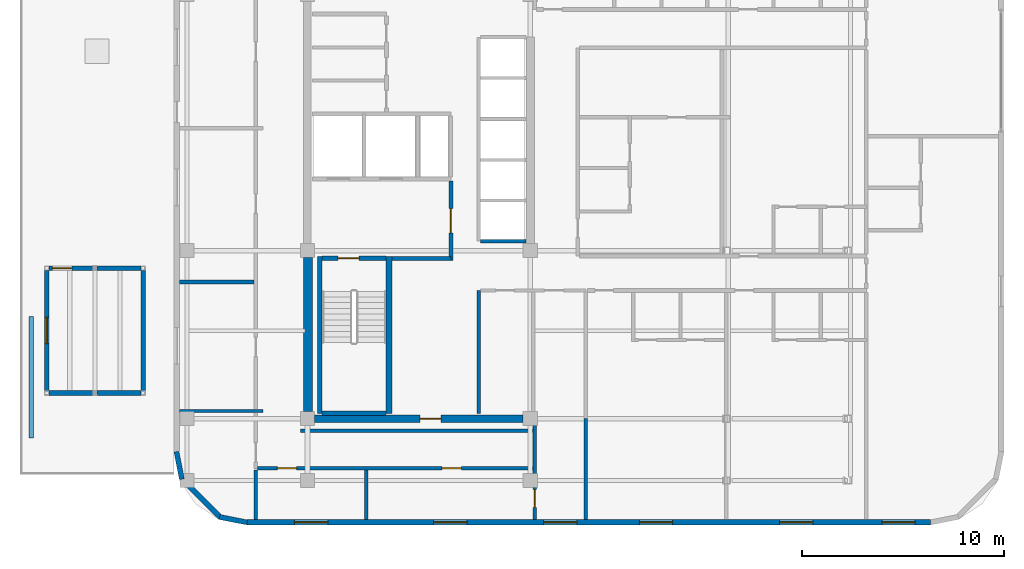
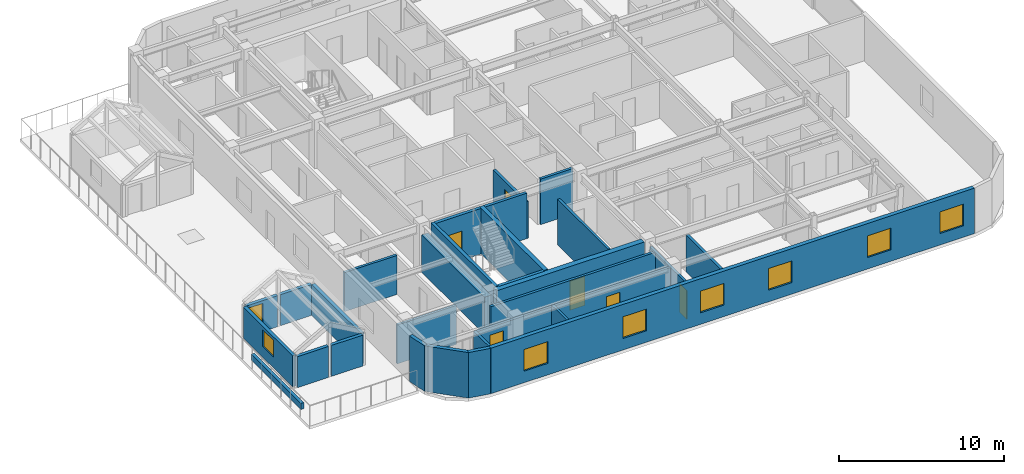
# One storey, part 11 of 16: 29 walls, 7 doors, 7 windows, 14 openings.
"""IFC4 building model written with IfcOpenShell, lengths in metres."""

from ifc_helpers import new_model, si_unit, direction, frame, frame_2d, origin, place, context, subcontext, project, spatial, rectangle, extrude, material, layer, layer_set, type_object, element, fill, save


model = new_model("IFC4")

# Units and contexts
model_context = context("Model", 3, precision=1e-05, world=origin(), true_north=direction((0.0, 1.0)))
body_context = subcontext(model_context, "Body", "Model", "MODEL_VIEW")
ifc_project = project(units=[si_unit("LENGTHUNIT", "METRE"), si_unit("AREAUNIT", "SQUARE_METRE"), si_unit("VOLUMEUNIT", "CUBIC_METRE"), si_unit("PLANEANGLEUNIT", "RADIAN"), si_unit("MASSUNIT", "GRAM", prefix="KILO")], contexts=[model_context])

# Site, building, storey
site_placement = place(None, origin())
site = spatial("IfcSite", under=ifc_project, at=site_placement, CompositionType="ELEMENT")
building_placement = place(site_placement, origin())
building = spatial("IfcBuilding", under=site, at=building_placement, Name="Ochreholt Gables", CompositionType="ELEMENT")
storey_placement = place(building_placement, frame((0.0, 0.0, 141.0)))
storey = spatial("IfcBuildingStorey", under=building, at=storey_placement, Name="L36", CompositionType="ELEMENT", Elevation=141.0)

# Wall, opening, door
ifc_material_1 = material(Name="Concrete 50 MPa", Category="concrete")
ifc_layer_1 = layer(ifc_material_1, 0.3798828125, Name="Concrete 50 MPa")
ifc_layer_set_1 = layer_set([ifc_layer_1], Name="Concrete 50 MPa")
wall_type_1 = type_object("IfcWallType", Name="WALL-CSW-380", PredefinedType="SHEAR", material=ifc_layer_set_1)
wall_1_placement = place(storey_placement, frame((24.550048828125, 9.25, 0.0), z_axis=(0.0, 0.0, 1.0), x_axis=(1.0, 0.0, 0.0)))
wall_1 = element("IfcWall", 1, at=wall_1_placement, inside=storey, type_object=wall_type_1, Name="L36 Core South Shear Wall", PredefinedType="SHEAR", context=body_context, shape_type="SweptSolid", body=[
    extrude(rectangle(XDim=10.300048828125, YDim=0.3798828125, at=frame_2d((5.14990234375, 0.0))), origin(), (0.0, 0.0, 1.0), 3.360107421875),
])
opening_1_placement = place(wall_1_placement, frame((5.199951171875, 0.0, 0.0)))
opening_1 = element("IfcOpeningElement", 2, at=opening_1_placement, cuts=wall_1, Name="Opening D-FLB", PredefinedType="OPENING", context=body_context, shape_type="SweptSolid", body=[
    extrude(rectangle(XDim=1.050048828125, YDim=2.14990234375, at=frame_2d((0.52490234375, 1.074951171875))), frame((0.0, 0.199951171875, 0.0), z_axis=(0.0, -1.0, 0.0), x_axis=(1.0, 0.0, 0.0)), (0.0, 0.0, 1.0), 0.39990234375),
])
ifc_material_2 = material(Name="Hollow Metal Steel", Category="steel")
door_type_1 = type_object("IfcDoorType", Name="DR-INT-FLB1050", OperationType="NOTDEFINED", PredefinedType="DOOR", material=ifc_material_2)
door_1_placement = place(opening_1_placement, origin())
door_1 = element("IfcDoor", 3, at=door_1_placement, inside=storey, type_object=door_type_1, Name="L36 Door D-C2CRS-L36", OperationType="SINGLE_SWING_LEFT", OverallHeight=2.14990234375, OverallWidth=1.050048828125, PredefinedType="DOOR", context=body_context, shape_type="SweptSolid", body=[
    extrude(rectangle(XDim=1.050048828125, YDim=2.14990234375, at=frame_2d((0.52490234375, 1.074951171875))), frame((0.0, 0.02490234375, 0.0), z_axis=(0.0, -1.0, 0.0), x_axis=(1.0, 0.0, 0.0)), (0.0, 0.0, 1.0), 0.050048828125),
])
fill(opening_1, door_1)

# Wall
ifc_material_3 = material(Name="Concrete 60 MPa", Category="concrete")
ifc_layer_2 = layer(ifc_material_3, 0.449951171875, Name="Concrete 60 MPa")
ifc_layer_set_2 = layer_set([ifc_layer_2], Name="Concrete 60 MPa")
wall_type_2 = type_object("IfcWallType", Name="WALL-CSW-450", PredefinedType="SHEAR", material=ifc_layer_set_2)
wall_2_placement = place(storey_placement, frame((24.22509765625, 9.60009765625, 0.0), z_axis=(0.0, 0.0, 1.0), x_axis=(0.0, 1.0, 0.0)))
element("IfcWall", 4, at=wall_2_placement, inside=storey, type_object=wall_type_2, Name="L36 Core West Shear Wall WS", PredefinedType="SHEAR", context=body_context, shape_type="SweptSolid", body=[
    extrude(rectangle(XDim=7.599853515625, YDim=0.449951171875, at=frame_2d((3.7998046875, 0.0))), origin(), (0.0, 0.0, 1.0), 2.748046875),
])

# Wall, openings, windows
ifc_material_4 = material(Name="Precast concrete 40 MPa", Category="concrete")
ifc_layer_3 = layer(ifc_material_4, 0.280029296875, Name="Precast concrete 40 MPa")
ifc_layer_set_3 = layer_set([ifc_layer_3], Name="Precast concrete 40 MPa")
wall_type_3 = type_object("IfcWallType", Name="WALL-EXT-280", PredefinedType="SOLIDWALL", material=ifc_layer_set_3)
wall_3_placement = place(storey_placement, frame((21.219970703125, 4.139892578125, 0.0), z_axis=(0.0, 0.0, 1.0), x_axis=(1.0, 0.0, 0.0)))
wall_3 = element("IfcWall", 5, at=wall_3_placement, inside=storey, type_object=wall_type_3, Name="L36 South Exterior Wall", PredefinedType="SOLIDWALL", context=body_context, shape_type="SweptSolid", body=[
    extrude(rectangle(XDim=33.760009765625, YDim=0.280029296875, at=frame_2d((16.8798828125, 0.0))), origin(), (0.0, 0.0, 1.0), 3.360107421875),
])
opening_2_placement = place(wall_3_placement, frame((2.330078125, 0.0, 0.85009765625)))
opening_2 = element("IfcOpeningElement", 6, at=opening_2_placement, cuts=wall_3, Name="Opening WN-7", PredefinedType="OPENING", context=body_context, shape_type="SweptSolid", body=[
    extrude(rectangle(XDim=1.64990234375, YDim=1.60009765625, at=frame_2d((0.824951171875, 0.800048828125))), frame((0.0, 0.14990234375, 0.0), z_axis=(0.0, -1.0, 0.0), x_axis=(1.0, 0.0, 0.0)), (0.0, 0.0, 1.0), 0.300048828125),
])
opening_3_placement = place(wall_3_placement, frame((9.215087890625, 0.0, 0.85009765625)))
opening_3 = element("IfcOpeningElement", 7, at=opening_3_placement, cuts=wall_3, Name="Opening WN-7", PredefinedType="OPENING", context=body_context, shape_type="SweptSolid", body=[
    extrude(rectangle(XDim=1.64990234375, YDim=1.60009765625, at=frame_2d((0.824951171875, 0.800048828125))), frame((0.0, 0.14990234375, 0.0), z_axis=(0.0, -1.0, 0.0), x_axis=(1.0, 0.0, 0.0)), (0.0, 0.0, 1.0), 0.300048828125),
])
opening_4_placement = place(wall_3_placement, frame((14.639892578125, 0.0, 0.85009765625)))
opening_4 = element("IfcOpeningElement", 8, at=opening_4_placement, cuts=wall_3, Name="Opening WN-7", PredefinedType="OPENING", context=body_context, shape_type="SweptSolid", body=[
    extrude(rectangle(XDim=1.64990234375, YDim=1.60009765625, at=frame_2d((0.824951171875, 0.800048828125))), frame((0.0, 0.14990234375, 0.0), z_axis=(0.0, -1.0, 0.0), x_axis=(1.0, 0.0, 0.0)), (0.0, 0.0, 1.0), 0.300048828125),
])
opening_5_placement = place(wall_3_placement, frame((19.367431640625, 0.0, 0.85009765625)))
opening_5 = element("IfcOpeningElement", 9, at=opening_5_placement, cuts=wall_3, Name="Opening WN-7", PredefinedType="OPENING", context=body_context, shape_type="SweptSolid", body=[
    extrude(rectangle(XDim=1.64990234375, YDim=1.60009765625, at=frame_2d((0.824951171875, 0.800048828125))), frame((0.0, 0.14990234375, 0.0), z_axis=(0.0, -1.0, 0.0), x_axis=(1.0, 0.0, 0.0)), (0.0, 0.0, 1.0), 0.300048828125),
])
opening_6_placement = place(wall_3_placement, frame((26.29248046875, 0.0, 0.85009765625)))
opening_6 = element("IfcOpeningElement", 10, at=opening_6_placement, cuts=wall_3, Name="Opening WN-7", PredefinedType="OPENING", context=body_context, shape_type="SweptSolid", body=[
    extrude(rectangle(XDim=1.64990234375, YDim=1.60009765625, at=frame_2d((0.824951171875, 0.800048828125))), frame((0.0, 0.14990234375, 0.0), z_axis=(0.0, -1.0, 0.0), x_axis=(1.0, 0.0, 0.0)), (0.0, 0.0, 1.0), 0.300048828125),
])
opening_7_placement = place(wall_3_placement, frame((31.344970703125, 0.0, 0.85009765625)))
opening_7 = element("IfcOpeningElement", 11, at=opening_7_placement, cuts=wall_3, Name="Opening WN-7", PredefinedType="OPENING", context=body_context, shape_type="SweptSolid", body=[
    extrude(rectangle(XDim=1.64990234375, YDim=1.60009765625, at=frame_2d((0.824951171875, 0.800048828125))), frame((0.0, 0.14990234375, 0.0), z_axis=(0.0, -1.0, 0.0), x_axis=(1.0, 0.0, 0.0)), (0.0, 0.0, 1.0), 0.300048828125),
])
ifc_material_5 = material(Name="Triple-Glazed Thermally Broken Aluminium Window", Category="aluminium")
window_type_1 = type_object("IfcWindowType", Name="WIN-RES-1650", PartitioningType="SINGLE_PANEL", PredefinedType="WINDOW", material=ifc_material_5)
window_1_placement = place(opening_2_placement, origin())
window_1 = element("IfcWindow", 12, at=window_1_placement, inside=storey, type_object=window_type_1, Name="L36 Window W-EXT-S-L36-1", OverallHeight=1.60009765625, OverallWidth=1.64990234375, PartitioningType="SINGLE_PANEL", PredefinedType="WINDOW", context=body_context, shape_type="SweptSolid", body=[
    extrude(rectangle(XDim=1.64990234375, YDim=1.60009765625, at=frame_2d((0.824951171875, 0.800048828125))), frame((0.0, 0.030029296875, 0.0), z_axis=(0.0, -1.0, 0.0), x_axis=(1.0, 0.0, 0.0)), (0.0, 0.0, 1.0), 0.06005859375),
])
fill(opening_2, window_1)
window_2_placement = place(opening_3_placement, origin())
window_2 = element("IfcWindow", 13, at=window_2_placement, inside=storey, type_object=window_type_1, Name="L36 Window W-EXT-S-L36-2", OverallHeight=1.60009765625, OverallWidth=1.64990234375, PartitioningType="SINGLE_PANEL", PredefinedType="WINDOW", context=body_context, shape_type="SweptSolid", body=[
    extrude(rectangle(XDim=1.64990234375, YDim=1.60009765625, at=frame_2d((0.824951171875, 0.800048828125))), frame((0.0, 0.030029296875, 0.0), z_axis=(0.0, -1.0, 0.0), x_axis=(1.0, 0.0, 0.0)), (0.0, 0.0, 1.0), 0.06005859375),
])
fill(opening_3, window_2)
window_3_placement = place(opening_4_placement, origin())
window_3 = element("IfcWindow", 14, at=window_3_placement, inside=storey, type_object=window_type_1, Name="L36 Window W-EXT-S-L36-3", OverallHeight=1.60009765625, OverallWidth=1.64990234375, PartitioningType="SINGLE_PANEL", PredefinedType="WINDOW", context=body_context, shape_type="SweptSolid", body=[
    extrude(rectangle(XDim=1.64990234375, YDim=1.60009765625, at=frame_2d((0.824951171875, 0.800048828125))), frame((0.0, 0.030029296875, 0.0), z_axis=(0.0, -1.0, 0.0), x_axis=(1.0, 0.0, 0.0)), (0.0, 0.0, 1.0), 0.06005859375),
])
fill(opening_4, window_3)
window_4_placement = place(opening_5_placement, origin())
window_4 = element("IfcWindow", 15, at=window_4_placement, inside=storey, type_object=window_type_1, Name="L36 Window W-EXT-S-L36-4", OverallHeight=1.60009765625, OverallWidth=1.64990234375, PartitioningType="SINGLE_PANEL", PredefinedType="WINDOW", context=body_context, shape_type="SweptSolid", body=[
    extrude(rectangle(XDim=1.64990234375, YDim=1.60009765625, at=frame_2d((0.824951171875, 0.800048828125))), frame((0.0, 0.030029296875, 0.0), z_axis=(0.0, -1.0, 0.0), x_axis=(1.0, 0.0, 0.0)), (0.0, 0.0, 1.0), 0.06005859375),
])
fill(opening_5, window_4)
window_5_placement = place(opening_6_placement, origin())
window_5 = element("IfcWindow", 16, at=window_5_placement, inside=storey, type_object=window_type_1, Name="L36 Window W-EXT-S-L36-5", OverallHeight=1.60009765625, OverallWidth=1.64990234375, PartitioningType="SINGLE_PANEL", PredefinedType="WINDOW", context=body_context, shape_type="SweptSolid", body=[
    extrude(rectangle(XDim=1.64990234375, YDim=1.60009765625, at=frame_2d((0.824951171875, 0.800048828125))), frame((0.0, 0.030029296875, 0.0), z_axis=(0.0, -1.0, 0.0), x_axis=(1.0, 0.0, 0.0)), (0.0, 0.0, 1.0), 0.06005859375),
])
fill(opening_6, window_5)
window_6_placement = place(opening_7_placement, origin())
window_6 = element("IfcWindow", 17, at=window_6_placement, inside=storey, type_object=window_type_1, Name="L36 Window W-EXT-S-L36-6", OverallHeight=1.60009765625, OverallWidth=1.64990234375, PartitioningType="SINGLE_PANEL", PredefinedType="WINDOW", context=body_context, shape_type="SweptSolid", body=[
    extrude(rectangle(XDim=1.64990234375, YDim=1.60009765625, at=frame_2d((0.824951171875, 0.800048828125))), frame((0.0, 0.030029296875, 0.0), z_axis=(0.0, -1.0, 0.0), x_axis=(1.0, 0.0, 0.0)), (0.0, 0.0, 1.0), 0.06005859375),
])
fill(opening_7, window_6)

# Walls
ifc_layer_4 = layer(ifc_material_4, 0.25, Name="Precast concrete 40 MPa")
ifc_layer_set_4 = layer_set([ifc_layer_4], Name="Precast concrete 40 MPa")
wall_type_4 = type_object("IfcWallType", Name="WALL-EXT-CNR", PredefinedType="SOLIDWALL", material=ifc_layer_set_4)
wall_4_placement = place(storey_placement, frame((17.72412109375, 7.616455078125, 0.0), z_axis=(0.0, 0.0, 1.0), x_axis=(0.195135625965, -0.9807762678, 0.0)))
element("IfcWall", 18, at=wall_4_placement, inside=storey, type_object=wall_type_4, Name="L36 Rounded Corner Wall SW-1", PredefinedType="SOLIDWALL", context=body_context, shape_type="SweptSolid", body=[
    extrude(rectangle(XDim=1.388671875, YDim=0.25, at=frame_2d((0.6943359375, 0.0))), origin(), (0.0, 0.0, 1.0), 3.360107421875),
])
wall_5_placement = place(storey_placement, frame((17.968017578125, 6.304931640625, 0.0), z_axis=(0.0, 0.0, 1.0), x_axis=(0.707106781187, -0.707106781187, 0.0)))
element("IfcWall", 19, at=wall_5_placement, inside=storey, type_object=wall_type_4, Name="L36 Rounded Corner Wall SW-2", PredefinedType="SOLIDWALL", context=body_context, shape_type="SweptSolid", body=[
    extrude(rectangle(XDim=2.7392578125, YDim=0.25, at=frame_2d((1.36962890625, 0.0))), origin(), (0.0, 0.0, 1.0), 3.360107421875),
])
wall_6_placement = place(storey_placement, frame((19.8544921875, 4.39501953125, 0.0), z_axis=(0.0, 0.0, 1.0), x_axis=(0.980809899341, -0.19496651342, 0.0)))
element("IfcWall", 20, at=wall_6_placement, inside=storey, type_object=wall_type_4, Name="L36 Rounded Corner Wall SW-3", PredefinedType="SOLIDWALL", context=body_context, shape_type="SweptSolid", body=[
    extrude(rectangle(XDim=1.388671875, YDim=0.25, at=frame_2d((0.6943359375, 0.0))), origin(), (0.0, 0.0, 1.0), 3.360107421875),
])
ifc_layer_5 = layer(ifc_material_4, 0.22998046875, Name="Precast concrete 40 MPa")
ifc_layer_set_5 = layer_set([ifc_layer_5], Name="Precast concrete 40 MPa")
wall_type_5 = type_object("IfcWallType", Name="WALL-EXT-GAB", PredefinedType="SOLIDWALL", material=ifc_layer_set_5)
wall_7_placement = place(storey_placement, frame((11.422119140625, 10.514892578125, 0.0), z_axis=(0.0, 0.0, 1.0), x_axis=(1.0, 0.0, 0.0)))
element("IfcWall", 21, at=wall_7_placement, inside=storey, type_object=wall_type_5, Name="L36 Gable End Wall GB-36W1-S1", PredefinedType="SOLIDWALL", context=body_context, shape_type="SweptSolid", body=[
    extrude(rectangle(XDim=2.17578125, YDim=0.22998046875, at=frame_2d((1.087890625, 0.0))), origin(), (0.0, 0.0, 1.0), 2.285400390625),
])
wall_8_placement = place(storey_placement, frame((13.802001953125, 10.514892578125, 0.0), z_axis=(0.0, 0.0, 1.0), x_axis=(1.0, 0.0, 0.0)))
element("IfcWall", 22, at=wall_8_placement, inside=storey, type_object=wall_type_5, Name="L36 Gable End Wall GB-36W1-S2", PredefinedType="SOLIDWALL", context=body_context, shape_type="SweptSolid", body=[
    extrude(rectangle(XDim=2.176025390625, YDim=0.22998046875, at=frame_2d((1.087890625, 0.0))), origin(), (0.0, 0.0, 1.0), 2.285400390625),
])

# Wall, opening, door
wall_9_placement = place(storey_placement, frame((11.422119140625, 16.68505859375, 0.0), z_axis=(0.0, 0.0, 1.0), x_axis=(1.0, 0.0, 0.0)))
wall_9 = element("IfcWall", 23, at=wall_9_placement, inside=storey, type_object=wall_type_5, Name="L36 Gable End Wall GB-36W1-N1", PredefinedType="SOLIDWALL", context=body_context, shape_type="SweptSolid", body=[
    extrude(rectangle(XDim=2.17578125, YDim=0.22998046875, at=frame_2d((1.087890625, 0.0))), origin(), (0.0, 0.0, 1.0), 2.285400390625),
])
opening_8_placement = place(wall_9_placement, frame((0.179931640625, 0.0, 0.0)))
opening_8 = element("IfcOpeningElement", 24, at=opening_8_placement, cuts=wall_9, Name="Opening D-GB1", PredefinedType="OPENING", context=body_context, shape_type="SweptSolid", body=[
    extrude(rectangle(XDim=0.9599609375, YDim=2.080078125, at=frame_2d((0.47998046875, 1.0400390625))), frame((0.0, 0.125, 0.0), z_axis=(0.0, -1.0, 0.0), x_axis=(1.0, 0.0, 0.0)), (0.0, 0.0, 1.0), 0.25),
])
ifc_material_6 = material(Name="Thermally Broken Insulated Steel and Glass Door", Category="steel")
door_type_2 = type_object("IfcDoorType", Name="DR-EXT-GAB960", OperationType="NOTDEFINED", PredefinedType="DOOR", material=ifc_material_6)
door_2_placement = place(opening_8_placement, origin())
door_2 = element("IfcDoor", 25, at=door_2_placement, inside=storey, type_object=door_type_2, Name="L36 Gable Pavilion Door GB-36W1", OperationType="SINGLE_SWING_LEFT", OverallHeight=2.080078125, OverallWidth=0.9599609375, PredefinedType="DOOR", context=body_context, shape_type="SweptSolid", body=[
    extrude(rectangle(XDim=0.9599609375, YDim=2.080078125, at=frame_2d((0.47998046875, 1.0400390625))), frame((0.0, 0.02490234375, 0.0), z_axis=(0.0, -1.0, 0.0), x_axis=(1.0, 0.0, 0.0)), (0.0, 0.0, 1.0), 0.050048828125),
])
fill(opening_8, door_2)

# Wall
wall_10_placement = place(storey_placement, frame((13.802001953125, 16.68505859375, 0.0), z_axis=(0.0, 0.0, 1.0), x_axis=(1.0, 0.0, 0.0)))
element("IfcWall", 26, at=wall_10_placement, inside=storey, type_object=wall_type_5, Name="L36 Gable End Wall GB-36W1-N2", PredefinedType="SOLIDWALL", context=body_context, shape_type="SweptSolid", body=[
    extrude(rectangle(XDim=2.176025390625, YDim=0.22998046875, at=frame_2d((1.087890625, 0.0))), origin(), (0.0, 0.0, 1.0), 2.285400390625),
])

# Wall, opening, window
wall_11_placement = place(storey_placement, frame((11.31494140625, 10.6220703125, 0.0), z_axis=(0.0, 0.0, 1.0), x_axis=(0.0, 1.0, 0.0)))
wall_11 = element("IfcWall", 27, at=wall_11_placement, inside=storey, type_object=wall_type_5, Name="L36 Gable Eave Wall GB-36W1-W", PredefinedType="SOLIDWALL", context=body_context, shape_type="SweptSolid", body=[
    extrude(rectangle(XDim=5.955810546875, YDim=0.22998046875, at=frame_2d((2.97802734375, 0.0))), origin(), (0.0, 0.0, 1.0), 2.285400390625),
])
opening_9_placement = place(wall_11_placement, frame((2.327880859375, 0.0, 0.780029296875)))
opening_9 = element("IfcOpeningElement", 28, at=opening_9_placement, cuts=wall_11, Name="Opening WN-6", PredefinedType="OPENING", context=body_context, shape_type="SweptSolid", body=[
    extrude(rectangle(XDim=1.300048828125, YDim=1.25, at=frame_2d((0.64990234375, 0.625))), frame((0.0, 0.125, 0.0), z_axis=(0.0, -1.0, 0.0), x_axis=(1.0, 0.0, 0.0)), (0.0, 0.0, 1.0), 0.25),
])
window_type_2 = type_object("IfcWindowType", Name="WIN-GAB-1300", PartitioningType="SINGLE_PANEL", PredefinedType="WINDOW", material=ifc_material_5)
window_7_placement = place(opening_9_placement, origin())
window_7 = element("IfcWindow", 29, at=window_7_placement, inside=storey, type_object=window_type_2, Name="L36 Gable Pavilion Window GB-36W1", OverallHeight=1.25, OverallWidth=1.300048828125, PartitioningType="SINGLE_PANEL", PredefinedType="WINDOW", context=body_context, shape_type="SweptSolid", body=[
    extrude(rectangle(XDim=1.300048828125, YDim=1.25, at=frame_2d((0.64990234375, 0.625))), frame((0.0, 0.030029296875, 0.0), z_axis=(0.0, -1.0, 0.0), x_axis=(1.0, 0.0, 0.0)), (0.0, 0.0, 1.0), 0.06005859375),
])
fill(opening_9, window_7)

# Walls
wall_12_placement = place(storey_placement, frame((16.0849609375, 10.6220703125, 0.0), z_axis=(0.0, 0.0, 1.0), x_axis=(0.0, 1.0, 0.0)))
element("IfcWall", 30, at=wall_12_placement, inside=storey, type_object=wall_type_5, Name="L36 Gable Eave Wall GB-36W1-E", PredefinedType="SOLIDWALL", context=body_context, shape_type="SweptSolid", body=[
    extrude(rectangle(XDim=5.955810546875, YDim=0.22998046875, at=frame_2d((2.97802734375, 0.0))), origin(), (0.0, 0.0, 1.0), 2.285400390625),
])
ifc_material_7 = material(Name="Concrete 40 MPa", Category="concrete")
ifc_layer_6 = layer(ifc_material_7, 0.199951171875, Name="Concrete 40 MPa")
ifc_layer_set_6 = layer_set([ifc_layer_6], Name="Concrete 40 MPa")
wall_type_6 = type_object("IfcWallType", Name="WALL-INT-CF200", PredefinedType="STANDARD", material=ifc_layer_set_6)
wall_13_placement = place(storey_placement, frame((28.3798828125, 17.169921875, 0.0), z_axis=(0.0, 0.0, 1.0), x_axis=(1.0, 0.0, 0.0)))
element("IfcWall", 31, at=wall_13_placement, inside=storey, type_object=wall_type_6, Name="L36 Interior Wall WI-FFS-L36", PredefinedType="STANDARD", context=body_context, shape_type="SweptSolid", body=[
    extrude(rectangle(XDim=2.900146484375, YDim=0.199951171875, at=frame_2d((1.4501953125, 0.0))), origin(), (0.0, 0.0, 1.0), 3.360107421875),
])

# Wall, opening, door
wall_14_placement = place(storey_placement, frame((31.280029296875, 17.070068359375, 0.0), z_axis=(0.0, 0.0, 1.0), x_axis=(0.0, 1.0, 0.0)))
wall_14 = element("IfcWall", 32, at=wall_14_placement, inside=storey, type_object=wall_type_6, Name="L36 Interior Wall WI-FFE-L36", PredefinedType="STANDARD", context=body_context, shape_type="SweptSolid", body=[
    extrude(rectangle(XDim=3.919921875, YDim=0.199951171875, at=frame_2d((1.9599609375, 0.0))), origin(), (0.0, 0.0, 1.0), 2.72998046875),
])
opening_10_placement = place(wall_14_placement, frame((1.35009765625, 0.0, 0.0)))
opening_10 = element("IfcOpeningElement", 33, at=opening_10_placement, cuts=wall_14, Name="Opening D-FFL", PredefinedType="OPENING", context=body_context, shape_type="SweptSolid", body=[
    extrude(rectangle(XDim=1.199951171875, YDim=2.14990234375, at=frame_2d((0.60009765625, 1.074951171875))), frame((0.0, 0.10986328125, 0.0), z_axis=(0.0, -1.0, 0.0), x_axis=(1.0, 0.0, 0.0)), (0.0, 0.0, 1.0), 0.219970703125),
])
door_type_3 = type_object("IfcDoorType", Name="DR-INT-FFL1200", OperationType="NOTDEFINED", PredefinedType="DOOR", material=ifc_material_2)
door_3_placement = place(opening_10_placement, origin())
door_3 = element("IfcDoor", 34, at=door_3_placement, inside=storey, type_object=door_type_3, Name="L36 Door D-FFL-L36", OperationType="SINGLE_SWING_LEFT", OverallHeight=2.14990234375, OverallWidth=1.199951171875, PredefinedType="DOOR", context=body_context, shape_type="SweptSolid", body=[
    extrude(rectangle(XDim=1.199951171875, YDim=2.14990234375, at=frame_2d((0.60009765625, 1.074951171875))), frame((0.0, 0.02490234375, 0.0), z_axis=(0.0, -1.0, 0.0), x_axis=(1.0, 0.0, 0.0)), (0.0, 0.0, 1.0), 0.050048828125),
])
fill(opening_10, door_3)

# Wall, openings, doors
ifc_material_8 = material(Name="Fire-Rated Gypsum Acoustic Partition", Category="gypsum")
ifc_layer_7 = layer(ifc_material_8, 0.179931640625, Name="Fire-Rated Gypsum Acoustic Partition")
ifc_layer_set_7 = layer_set([ifc_layer_7], Name="Fire-Rated Gypsum Acoustic Partition")
wall_type_7 = type_object("IfcWallType", Name="WALL-INT-CR180", PredefinedType="STANDARD", material=ifc_layer_set_7)
wall_15_placement = place(storey_placement, frame((21.739990234375, 6.800048828125, 0.0), z_axis=(0.0, 0.0, 1.0), x_axis=(1.0, 0.0, 0.0)))
wall_15 = element("IfcWall", 35, at=wall_15_placement, inside=storey, type_object=wall_type_7, Name="L36 Interior Wall WI-C2WCS-L36", PredefinedType="STANDARD", context=body_context, shape_type="SweptSolid", body=[
    extrude(rectangle(XDim=13.679931640625, YDim=0.179931640625, at=frame_2d((6.83984375, 0.0))), origin(), (0.0, 0.0, 1.0), 2.72998046875),
])
opening_11_placement = place(wall_15_placement, frame((0.969970703125, 0.0, 0.0)))
opening_11 = element("IfcOpeningElement", 36, at=opening_11_placement, cuts=wall_15, Name="Opening D-GN1", PredefinedType="OPENING", context=body_context, shape_type="SweptSolid", body=[
    extrude(rectangle(XDim=0.949951171875, YDim=2.14990234375, at=frame_2d((0.47509765625, 1.074951171875))), frame((0.0, 0.099853515625, 0.0), z_axis=(0.0, -1.0, 0.0), x_axis=(1.0, 0.0, 0.0)), (0.0, 0.0, 1.0), 0.199951171875),
])
opening_12_placement = place(wall_15_placement, frame((9.110107421875, 0.0, 0.0)))
opening_12 = element("IfcOpeningElement", 37, at=opening_12_placement, cuts=wall_15, Name="Opening D-GN1", PredefinedType="OPENING", context=body_context, shape_type="SweptSolid", body=[
    extrude(rectangle(XDim=0.949951171875, YDim=2.14990234375, at=frame_2d((0.47509765625, 1.074951171875))), frame((0.0, 0.099853515625, 0.0), z_axis=(0.0, -1.0, 0.0), x_axis=(1.0, 0.0, 0.0)), (0.0, 0.0, 1.0), 0.199951171875),
])
ifc_material_9 = material(Name="Engineered Oak Timber", Category="wood")
door_type_4 = type_object("IfcDoorType", Name="DR-INT-GEN950", OperationType="NOTDEFINED", PredefinedType="DOOR", material=ifc_material_9)
door_4_placement = place(opening_11_placement, origin())
door_4 = element("IfcDoor", 38, at=door_4_placement, inside=storey, type_object=door_type_4, Name="L36 Door D-C2STL1-L36", OperationType="SINGLE_SWING_LEFT", OverallHeight=2.14990234375, OverallWidth=0.949951171875, PredefinedType="DOOR", context=body_context, shape_type="SweptSolid", body=[
    extrude(rectangle(XDim=0.949951171875, YDim=2.14990234375, at=frame_2d((0.47509765625, 1.074951171875))), frame((0.0, 0.02490234375, 0.0), z_axis=(0.0, -1.0, 0.0), x_axis=(1.0, 0.0, 0.0)), (0.0, 0.0, 1.0), 0.050048828125),
])
fill(opening_11, door_4)
door_5_placement = place(opening_12_placement, origin())
door_5 = element("IfcDoor", 39, at=door_5_placement, inside=storey, type_object=door_type_4, Name="L36 Door D-C2STL2-L36", OperationType="SINGLE_SWING_RIGHT", OverallHeight=2.14990234375, OverallWidth=0.949951171875, PredefinedType="DOOR", context=body_context, shape_type="SweptSolid", body=[
    extrude(rectangle(XDim=0.949951171875, YDim=2.14990234375, at=frame_2d((0.47509765625, 1.074951171875))), frame((0.0, 0.02490234375, 0.0), z_axis=(0.0, -1.0, 0.0), x_axis=(1.0, 0.0, 0.0)), (0.0, 0.0, 1.0), 0.050048828125),
])
fill(opening_12, door_5)

# Walls
wall_16_placement = place(storey_placement, frame((23.85009765625, 8.64990234375, 0.0), z_axis=(0.0, 0.0, 1.0), x_axis=(1.0, 0.0, 0.0)))
element("IfcWall", 40, at=wall_16_placement, inside=storey, type_object=wall_type_7, Name="L36 Interior Wall WI-C2WCS2-L36", PredefinedType="STANDARD", context=body_context, shape_type="SweptSolid", body=[
    extrude(rectangle(XDim=11.56982421875, YDim=0.179931640625, at=frame_2d((5.784912109375, 0.0))), origin(), (0.0, 0.0, 1.0), 2.72998046875),
])
ifc_material_10 = material(Name="Double-Stud Acoustic Demising Wall", Category="gypsum")
ifc_layer_8 = layer(ifc_material_10, 0.179931640625, Name="Double-Stud Acoustic Demising Wall")
ifc_layer_set_8 = layer_set([ifc_layer_8], Name="Double-Stud Acoustic Demising Wall")
wall_type_8 = type_object("IfcWallType", Name="WALL-INT-DM180", PredefinedType="PARTITIONING", material=ifc_layer_set_8)
wall_17_placement = place(storey_placement, frame((21.64990234375, 4.280029296875, 0.0), z_axis=(0.0, 0.0, 1.0), x_axis=(0.0, 1.0, 0.0)))
element("IfcWall", 41, at=wall_17_placement, inside=storey, type_object=wall_type_8, Name="L36 Interior Wall WI-C2WWS-L36", PredefinedType="PARTITIONING", context=body_context, shape_type="SweptSolid", body=[
    extrude(rectangle(XDim=2.429931640625, YDim=0.179931640625, at=frame_2d((1.21484375, 0.0))), origin(), (0.0, 0.0, 1.0), 2.87890625),
])

# Wall, opening, door
wall_18_placement = place(storey_placement, frame((35.419921875, 4.280029296875, 0.0), z_axis=(0.0, 0.0, 1.0), x_axis=(0.0, 1.0, 0.0)))
wall_18 = element("IfcWall", 42, at=wall_18_placement, inside=storey, type_object=wall_type_8, Name="L36 Interior Wall WI-C2SES-L36", PredefinedType="PARTITIONING", context=body_context, shape_type="SweptSolid", body=[
    extrude(rectangle(XDim=4.969970703125, YDim=0.179931640625, at=frame_2d((2.48486328125, 0.0))), origin(), (0.0, 0.0, 1.0), 2.72998046875),
])
opening_13_placement = place(wall_18_placement, frame((0.590087890625, 0.0, 0.0)))
opening_13 = element("IfcOpeningElement", 43, at=opening_13_placement, cuts=wall_18, Name="Opening D-GN2", PredefinedType="OPENING", context=body_context, shape_type="SweptSolid", body=[
    extrude(rectangle(XDim=0.8798828125, YDim=2.1201171875, at=frame_2d((0.43994140625, 1.06005859375))), frame((0.0, 0.099853515625, 0.0), z_axis=(0.0, -1.0, 0.0), x_axis=(1.0, 0.0, 0.0)), (0.0, 0.0, 1.0), 0.199951171875),
])
door_type_5 = type_object("IfcDoorType", Name="DR-INT-GEN880", OperationType="NOTDEFINED", PredefinedType="DOOR", material=ifc_material_9)
door_6_placement = place(opening_13_placement, origin())
door_6 = element("IfcDoor", 44, at=door_6_placement, inside=storey, type_object=door_type_5, Name="L36 Door D-C2SPS-L36", OperationType="SINGLE_SWING_LEFT", OverallHeight=2.1201171875, OverallWidth=0.8798828125, PredefinedType="DOOR", context=body_context, shape_type="SweptSolid", body=[
    extrude(rectangle(XDim=0.8798828125, YDim=2.1201171875, at=frame_2d((0.43994140625, 1.06005859375))), frame((0.0, 0.02490234375, 0.0), z_axis=(0.0, -1.0, 0.0), x_axis=(1.0, 0.0, 0.0)), (0.0, 0.0, 1.0), 0.050048828125),
])
fill(opening_13, door_6)

# Walls
wall_19_placement = place(storey_placement, frame((37.949951171875, 4.280029296875, 0.0), z_axis=(0.0, 0.0, 1.0), x_axis=(0.0, 1.0, 0.0)))
element("IfcWall", 45, at=wall_19_placement, inside=storey, type_object=wall_type_8, Name="L36 Interior Wall WI-C2SEW2-L36", PredefinedType="PARTITIONING", context=body_context, shape_type="SweptSolid", body=[
    extrude(rectangle(XDim=4.969970703125, YDim=0.179931640625, at=frame_2d((2.48486328125, 0.0))), origin(), (0.0, 0.0, 1.0), 2.72998046875),
])
wall_20_placement = place(storey_placement, frame((17.8798828125, 16.0, 0.0), z_axis=(0.0, 0.0, 1.0), x_axis=(1.0, 0.0, 0.0)))
element("IfcWall", 46, at=wall_20_placement, inside=storey, type_object=wall_type_8, Name="L36 Interior Wall WI-C2UDW2-L36", PredefinedType="PARTITIONING", context=body_context, shape_type="SweptSolid", body=[
    extrude(rectangle(XDim=3.68017578125, YDim=0.179931640625, at=frame_2d((1.840087890625, 0.0))), origin(), (0.0, 0.0, 1.0), 2.87890625),
])
ifc_material_11 = material(Name="Gypsum Acoustic Stud Partition", Category="gypsum")
ifc_layer_9 = layer(ifc_material_11, 0.1650390625, Name="Gypsum Acoustic Stud Partition")
ifc_layer_set_9 = layer_set([ifc_layer_9], Name="Gypsum Acoustic Stud Partition")
wall_type_9 = type_object("IfcWallType", Name="WALL-INT-PT165", PredefinedType="PARTITIONING", material=ifc_layer_set_9)
wall_21_placement = place(storey_placement, frame((32.64990234375, 9.5, 0.0), z_axis=(0.0, 0.0, 1.0), x_axis=(0.0, 1.0, 0.0)))
element("IfcWall", 47, at=wall_21_placement, inside=storey, type_object=wall_type_9, Name="L36 Interior Wall WI-RCL-W-L36", PredefinedType="PARTITIONING", context=body_context, shape_type="SweptSolid", body=[
    extrude(rectangle(XDim=6.080078125, YDim=0.1650390625, at=frame_2d((3.0400390625, 0.0))), origin(), (0.0, 0.0, 1.0), 3.360107421875),
])
wall_22_placement = place(storey_placement, frame((17.8798828125, 9.625, 0.0), z_axis=(0.0, 0.0, 1.0), x_axis=(1.0, 0.0, 0.0)))
element("IfcWall", 48, at=wall_22_placement, inside=storey, type_object=wall_type_9, Name="L36 Interior Wall WU-L36W1-SDV", PredefinedType="PARTITIONING", context=body_context, shape_type="SweptSolid", body=[
    extrude(rectangle(XDim=4.130126953125, YDim=0.1650390625, at=frame_2d((2.06494140625, 0.0))), origin(), (0.0, 0.0, 1.0), 2.87890625),
])
wall_23_placement = place(storey_placement, frame((27.10009765625, 4.280029296875, 0.0), z_axis=(0.0, 0.0, 1.0), x_axis=(0.0, 1.0, 0.0)))
element("IfcWall", 49, at=wall_23_placement, inside=storey, type_object=wall_type_9, Name="L36 Interior Wall WI-C2PKS-L36", PredefinedType="PARTITIONING", context=body_context, shape_type="SweptSolid", body=[
    extrude(rectangle(XDim=2.429931640625, YDim=0.1650390625, at=frame_2d((1.21484375, 0.0))), origin(), (0.0, 0.0, 1.0), 2.87890625),
])
ifc_material_12 = material(Name="Gypsum Shaftliner and Steel Stud", Category="steel")
ifc_layer_10 = layer(ifc_material_12, 0.179931640625, Name="Gypsum Shaftliner and Steel Stud")
ifc_layer_set_10 = layer_set([ifc_layer_10], Name="Gypsum Shaftliner and Steel Stud")
wall_type_10 = type_object("IfcWallType", Name="WALL-INT-SH180", PredefinedType="STANDARD", material=ifc_layer_set_10)
wall_24_placement = place(storey_placement, frame((32.739990234375, 18.02001953125, 0.0), z_axis=(0.0, 0.0, 1.0), x_axis=(1.0, 0.0, 0.0)))
element("IfcWall", 50, at=wall_24_placement, inside=storey, type_object=wall_type_10, Name="L36 Interior Wall WI-LFHE-S-L36", PredefinedType="STANDARD", context=body_context, shape_type="SweptSolid", body=[
    extrude(rectangle(XDim=2.260009765625, YDim=0.179931640625, at=frame_2d((1.1298828125, 0.0))), origin(), (0.0, 0.0, 1.0), 3.360107421875),
])
ifc_layer_11 = layer(ifc_material_4, 0.2099609375, Name="Precast concrete 40 MPa")
ifc_layer_set_11 = layer_set([ifc_layer_11], Name="Precast concrete 40 MPa")
wall_type_11 = type_object("IfcWallType", Name="WALL-PRP-210", PredefinedType="PARAPET", material=ifc_layer_set_11)
wall_25_placement = place(storey_placement, frame((10.550048828125, 8.300048828125, 0.0), z_axis=(0.0, 0.0, 1.0), x_axis=(0.0, 1.0, 0.0)))
element("IfcWall", 51, at=wall_25_placement, inside=storey, type_object=wall_type_11, Name="L36 Planted Garden Terrace Planter TR-L36-W", PredefinedType="PARAPET", context=body_context, shape_type="SweptSolid", body=[
    extrude(rectangle(XDim=6.0, YDim=0.2099609375, at=frame_2d((3.0, 0.0))), origin(), (0.0, 0.0, 1.0), 0.449951171875),
])
ifc_layer_12 = layer(ifc_material_3, 0.300048828125, Name="Concrete 60 MPa")
ifc_layer_set_12 = layer_set([ifc_layer_12], Name="Concrete 60 MPa")
wall_type_12 = type_object("IfcWallType", Name="WALL-SPN-300", PredefinedType="SHEAR", material=ifc_layer_set_12)
wall_26_placement = place(storey_placement, frame((28.22998046875, 9.5, 0.0), z_axis=(0.0, 0.0, 1.0), x_axis=(0.0, 1.0, 0.0)))
element("IfcWall", 52, at=wall_26_placement, inside=storey, type_object=wall_type_12, Name="L36 Core South Spine Shear Wall", PredefinedType="SHEAR", context=body_context, shape_type="SweptSolid", body=[
    extrude(rectangle(XDim=7.760009765625, YDim=0.300048828125, at=frame_2d((3.8798828125, 0.0))), origin(), (0.0, 0.0, 1.0), 3.360107421875),
])
ifc_layer_13 = layer(ifc_material_1, 0.219970703125, Name="Concrete 50 MPa")
ifc_layer_set_13 = layer_set([ifc_layer_13], Name="Concrete 50 MPa")
wall_type_13 = type_object("IfcWallType", Name="WALL-STW-220", PredefinedType="SHEAR", material=ifc_layer_set_13)
wall_27_placement = place(storey_placement, frame((24.81005859375, 9.5, 0.0), z_axis=(0.0, 0.0, 1.0), x_axis=(0.0, 1.0, 0.0)))
element("IfcWall", 53, at=wall_27_placement, inside=storey, type_object=wall_type_13, Name="L36 Exit Stair 1 West Wall", PredefinedType="SHEAR", context=body_context, shape_type="SweptSolid", body=[
    extrude(rectangle(XDim=7.760009765625, YDim=0.219970703125, at=frame_2d((3.8798828125, 0.0))), origin(), (0.0, 0.0, 1.0), 3.360107421875),
])
wall_28_placement = place(storey_placement, frame((24.919921875, 9.510009765625, 0.0), z_axis=(0.0, 0.0, 1.0), x_axis=(1.0, 0.0, 0.0)))
element("IfcWall", 54, at=wall_28_placement, inside=storey, type_object=wall_type_13, Name="L36 Exit Stair 1 South Wall", PredefinedType="SHEAR", context=body_context, shape_type="SweptSolid", body=[
    extrude(rectangle(XDim=3.16015625, YDim=0.219970703125, at=frame_2d((1.580078125, 0.0))), origin(), (0.0, 0.0, 1.0), 3.360107421875),
])

# Wall, opening, door
wall_29_placement = place(storey_placement, frame((24.919921875, 17.169921875, 0.0), z_axis=(0.0, 0.0, 1.0), x_axis=(1.0, 0.0, 0.0)))
wall_29 = element("IfcWall", 55, at=wall_29_placement, inside=storey, type_object=wall_type_13, Name="L36 Exit Stair 1 North Wall", PredefinedType="SHEAR", context=body_context, shape_type="SweptSolid", body=[
    extrude(rectangle(XDim=3.16015625, YDim=0.219970703125, at=frame_2d((1.580078125, 0.0))), origin(), (0.0, 0.0, 1.0), 3.360107421875),
])
opening_14_placement = place(wall_29_placement, frame((0.780029296875, 0.0, 0.0)))
opening_14 = element("IfcOpeningElement", 56, at=opening_14_placement, cuts=wall_29, Name="Opening D-STC", PredefinedType="OPENING", context=body_context, shape_type="SweptSolid", body=[
    extrude(rectangle(XDim=1.050048828125, YDim=2.14990234375, at=frame_2d((0.52490234375, 1.074951171875))), frame((0.0, 0.119873046875, 0.0), z_axis=(0.0, -1.0, 0.0), x_axis=(1.0, 0.0, 0.0)), (0.0, 0.0, 1.0), 0.239990234375),
])
door_type_6 = type_object("IfcDoorType", Name="DR-INT-ST1050", OperationType="NOTDEFINED", PredefinedType="DOOR", material=ifc_material_2)
door_7_placement = place(opening_14_placement, frame((1.050048828125, 0.0, 0.0), z_axis=(0.0, 0.0, 1.0), x_axis=(-1.0, 0.0, 0.0)))
door_7 = element("IfcDoor", 57, at=door_7_placement, inside=storey, type_object=door_type_6, Name="L36 Door D-ST1-L36", OperationType="SINGLE_SWING_LEFT", OverallHeight=2.14990234375, OverallWidth=1.050048828125, PredefinedType="DOOR", context=body_context, shape_type="SweptSolid", body=[
    extrude(rectangle(XDim=1.050048828125, YDim=2.14990234375, at=frame_2d((0.52490234375, 1.074951171875))), frame((0.0, 0.02490234375, 0.0), z_axis=(0.0, -1.0, 0.0), x_axis=(1.0, 0.0, 0.0)), (0.0, 0.0, 1.0), 0.050048828125),
])
fill(opening_14, door_7)

save(model, "model.ifc")
